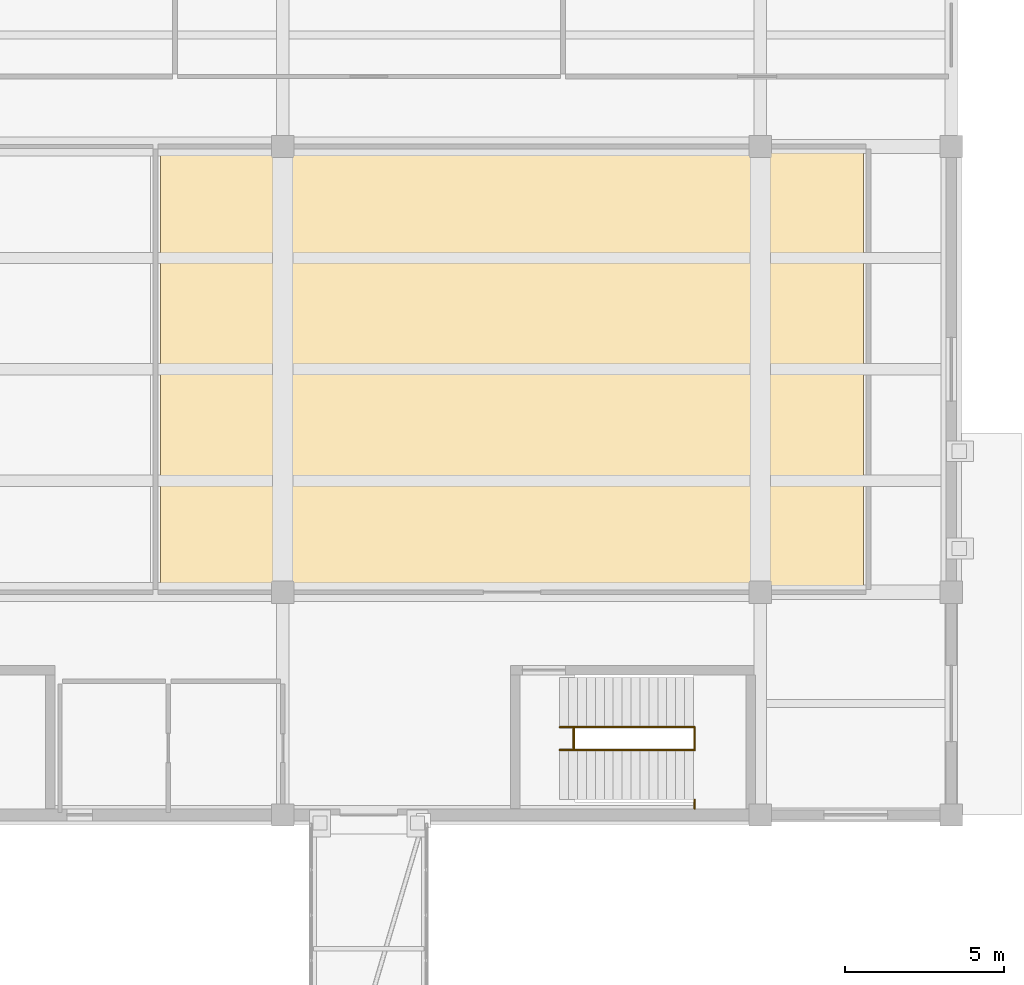
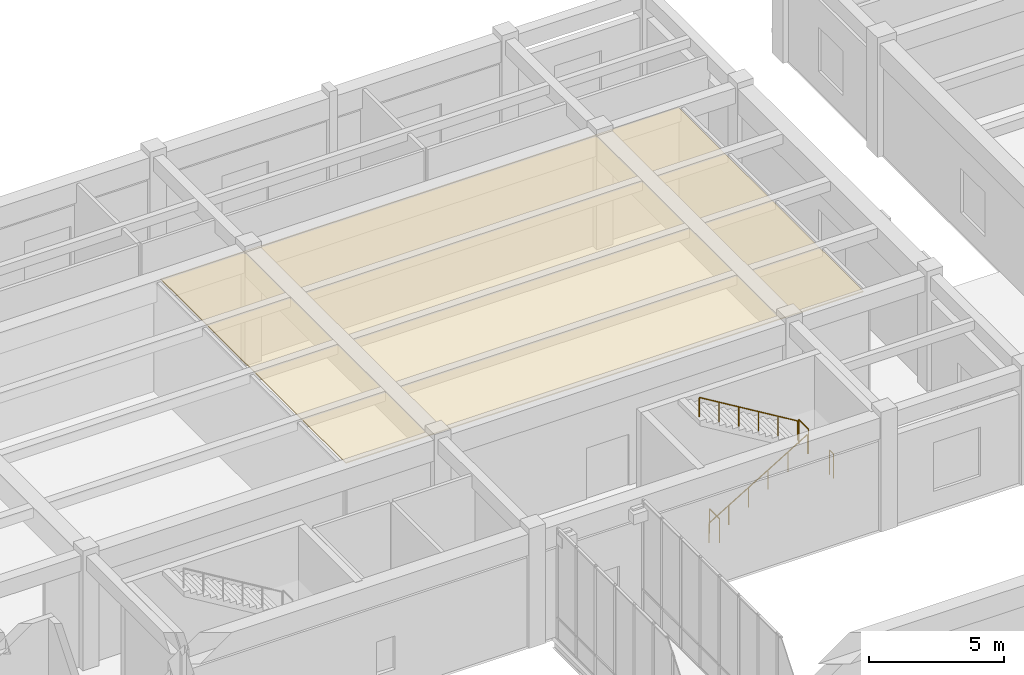
# One storey, part 35 of 40: 5 railings, 1 covering.
"""IFC4 building model written with IfcOpenShell, lengths in metres."""

from ifc_helpers import new_model, si_unit, direction, frame, origin, origin_2d, place, context, subcontext, project, spatial, polyline, circle, outline, extrude, material, layer, layer_set, type_object, element, save


model = new_model("IFC4")

# Units and contexts
model_context = context("Model", 3, precision=1e-05, world=origin(), true_north=direction((0.0, 1.0)))
body_context = subcontext(model_context, "Body", "Model", "MODEL_VIEW")
ifc_project = project(units=[si_unit("LENGTHUNIT", "METRE"), si_unit("AREAUNIT", "SQUARE_METRE"), si_unit("VOLUMEUNIT", "CUBIC_METRE"), si_unit("PLANEANGLEUNIT", "RADIAN"), si_unit("MASSUNIT", "GRAM", prefix="KILO")], contexts=[model_context])

# Site, building, storey
site_placement = place(None, origin())
site = spatial("IfcSite", under=ifc_project, at=site_placement, CompositionType="ELEMENT")
building_placement = place(site_placement, origin())
building = spatial("IfcBuilding", under=site, at=building_placement, Name="Naurynzar Civic Courthouse", CompositionType="ELEMENT")
storey_placement = place(building_placement, origin())
storey = spatial("IfcBuildingStorey", under=building, at=storey_placement, Name="L01", CompositionType="ELEMENT", Elevation=0.0)

# Covering
ifc_material_1 = material(Name="Acoustic Oak Timber Grade A", Category="wood")
ifc_layer = layer(ifc_material_1, 0.044921875)
ifc_layer_set = layer_set([ifc_layer], Name="CEIL-ACOUSTIC-OAK-45")
covering_type = type_object("IfcCoveringType", Name="CEIL-ACOUSTIC-OAK-45", PredefinedType="CEILING", material=ifc_layer_set)
covering_placement = place(storey_placement, frame((0.0, 0.0, 5.014892578125)))
element("IfcCovering", 1, at=covering_placement, inside=storey, type_object=covering_type, Name="Acoustic suspended ceiling Press Briefing Hall", PredefinedType="CEILING", context=body_context, shape_type="SweptSolid", body=[
    extrude(outline(polyline([(31.159912109375, 51.159912109375), (31.159912109375, 64.840087890625), (53.239990234375, 64.840087890625), (53.239990234375, 51.159912109375), (31.159912109375, 51.159912109375)])), origin(), (0.0, 0.0, 1.0), 0.045166015625),
])

# Railings
ifc_material_2 = material(Name="Brushed Stainless Steel 304", Category="steel")
railing_type_1 = type_object("IfcRailingType", Name="RAIL-BAL-1100", PredefinedType="BALUSTRADE", material=ifc_material_2)
for number, where, name in (
    (2, (44.139892578125, 46.0400390625, 0.0), "Stair ST-V1B floor well slot guard L01"),
    (3, (47.93994140625, 46.0400390625, 2.699951171875), "Stair ST-V1B-L01 half-landing well guard"),
):
    element("IfcRailing", number, at=place(storey_placement, frame(where)), inside=storey, type_object=railing_type_1, Name=name, PredefinedType="BALUSTRADE", context=body_context, shape_type="SweptSolid", body=[
        extrude(circle(Radius=0.02392578125, at=origin_2d()), frame((0.0, 0.0, 1.09619140625), z_axis=(0.0, 1.0, 0.0), x_axis=(-1.0, 0.0, 0.0)), (0.0, 0.0, 1.0), 0.719970703125),
        extrude(circle(Radius=0.02099609375, at=origin_2d()), origin(), (0.0, 0.0, 1.0), 1.072021484375),
        extrude(circle(Radius=0.02099609375, at=origin_2d()), frame((0.0, 0.719970703125, 0.0)), (0.0, 0.0, 1.0), 1.072021484375),
    ])
railing_1_placement = place(storey_placement, frame((47.93994140625, 44.195068359375, 2.699951171875)))
element("IfcRailing", 4, at=railing_1_placement, inside=storey, type_object=railing_type_1, Name="Stair ST-V1B-L01 half-landing south slot guard", PredefinedType="BALUSTRADE", context=body_context, shape_type="SweptSolid", body=[
    extrude(circle(Radius=0.02392578125, at=origin_2d()), frame((0.0, 0.0, 1.09619140625), z_axis=(0.0, 1.0, 0.0), x_axis=(-1.0, 0.0, 0.0)), (0.0, 0.0, 1.0), 0.284912109375),
    extrude(circle(Radius=0.02099609375, at=origin_2d()), origin(), (0.0, 0.0, 1.0), 1.072021484375),
    extrude(circle(Radius=0.02099609375, at=origin_2d()), frame((0.0, 0.284912109375, 0.0)), (0.0, 0.0, 1.0), 1.072021484375),
])
ifc_material_3 = material(Name="Brushed Stainless Steel 304", Category="steel")
railing_type_2 = type_object("IfcRailingType", Name="RAIL-HR-900", PredefinedType="HANDRAIL", material=ifc_material_3)
railing_2_placement = place(storey_placement, frame((43.699951171875, 46.0400390625, 0.168701171875)))
element("IfcRailing", 5, at=railing_2_placement, inside=storey, type_object=railing_type_2, Name="Stair ST-V1B-L01 flight 1 handrail", PredefinedType="HANDRAIL", context=body_context, shape_type="SweptSolid", body=[
    extrude(circle(Radius=0.02392578125, at=origin_2d()), frame((0.0, 0.0, 0.8759765625), z_axis=(0.856476492594, 0.0, 0.516186030065), x_axis=(0.0, 1.0, 0.0)), (0.0, 0.0, 1.0), 4.90380859375),
    extrude(circle(Radius=0.02099609375, at=origin_2d()), origin(), (0.0, 0.0, 1.0), 0.851806640625),
    extrude(circle(Radius=0.02099609375, at=origin_2d()), frame((0.840087890625, 0.0, 0.50634765625)), (0.0, 0.0, 1.0), 0.851806640625),
    extrude(circle(Radius=0.02099609375, at=origin_2d()), frame((1.679931640625, 0.0, 1.012451171875)), (0.0, 0.0, 1.0), 0.851806640625),
    extrude(circle(Radius=0.02099609375, at=origin_2d()), frame((2.52001953125, 0.0, 1.518798828125)), (0.0, 0.0, 1.0), 0.851806640625),
    extrude(circle(Radius=0.02099609375, at=origin_2d()), frame((3.35986328125, 0.0, 2.02490234375)), (0.0, 0.0, 1.0), 0.851806640625),
    extrude(circle(Radius=0.02099609375, at=origin_2d()), frame((4.199951171875, 0.0, 2.53125)), (0.0, 0.0, 1.0), 0.851806640625),
])
railing_3_placement = place(storey_placement, frame((47.89990234375, 46.760009765625, 2.868896484375)))
element("IfcRailing", 6, at=railing_3_placement, inside=storey, type_object=railing_type_2, Name="Stair ST-V1B-L01 flight 2 handrail", PredefinedType="HANDRAIL", context=body_context, shape_type="SweptSolid", body=[
    extrude(circle(Radius=0.02392578125, at=origin_2d()), frame((0.0, 0.0, 0.8759765625), z_axis=(-0.856498503035, 0.0, 0.5161495077), x_axis=(0.0, -1.0, 0.0)), (0.0, 0.0, 1.0), 4.903564453125),
    extrude(circle(Radius=0.02099609375, at=origin_2d()), origin(), (0.0, 0.0, 1.0), 0.851806640625),
    extrude(circle(Radius=0.02099609375, at=origin_2d()), frame((-0.840087890625, 0.0, 0.506103515625)), (0.0, 0.0, 1.0), 0.851806640625),
    extrude(circle(Radius=0.02099609375, at=origin_2d()), frame((-1.679931640625, 0.0, 1.012451171875)), (0.0, 0.0, 1.0), 0.851806640625),
    extrude(circle(Radius=0.02099609375, at=origin_2d()), frame((-2.52001953125, 0.0, 1.5185546875)), (0.0, 0.0, 1.0), 0.851806640625),
    extrude(circle(Radius=0.02099609375, at=origin_2d()), frame((-3.35986328125, 0.0, 2.02490234375)), (0.0, 0.0, 1.0), 0.851806640625),
    extrude(circle(Radius=0.02099609375, at=origin_2d()), frame((-4.199951171875, 0.0, 2.531005859375)), (0.0, 0.0, 1.0), 0.851806640625),
])

save(model, "model.ifc")
